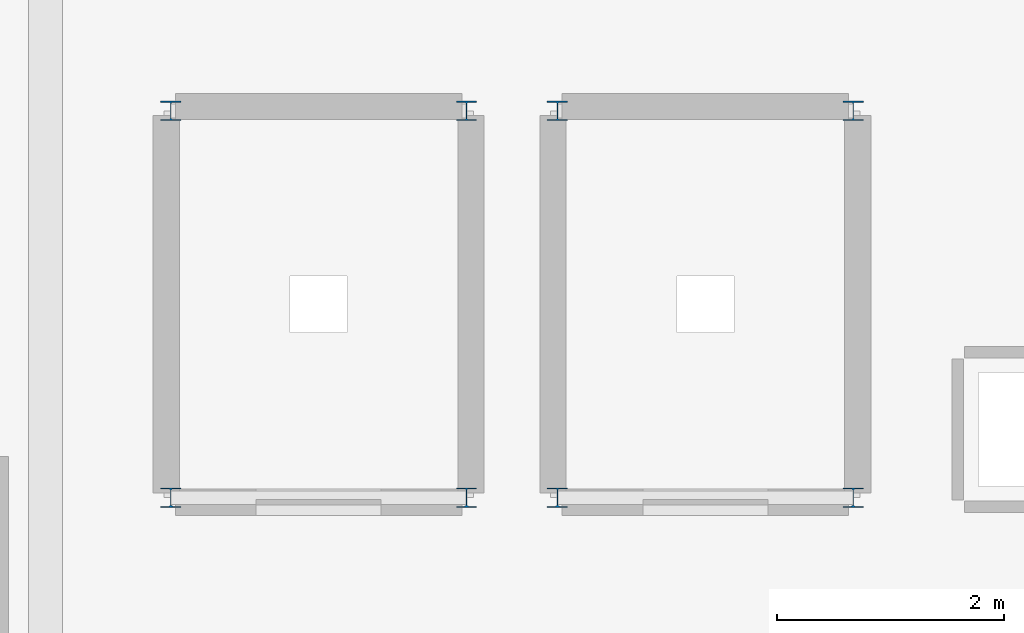
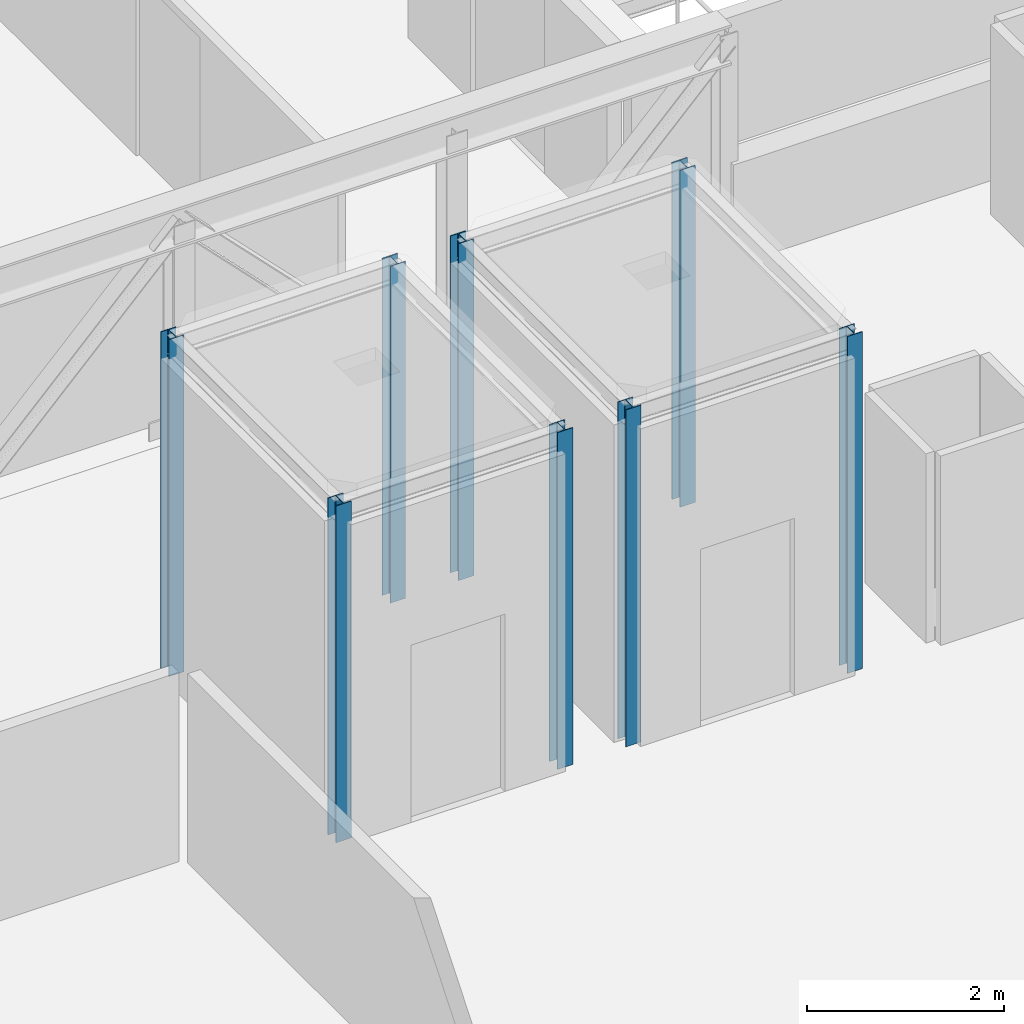
# One storey, part 2 of 34: 8 columns.
"""IFC4 building model written with IfcOpenShell, lengths in metres."""

from ifc_helpers import new_model, si_unit, direction, frame, origin, origin_2d, place, context, subcontext, project, spatial, i_section, extrude, material, material_profile, profile_set, type_object, element, save


model = new_model("IFC4")

# Units and contexts
model_context = context("Model", 3, precision=1e-05, world=origin(), true_north=direction((0.0, 1.0)))
body_context = subcontext(model_context, "Body", "Model", "MODEL_VIEW")
ifc_project = project(units=[si_unit("LENGTHUNIT", "METRE"), si_unit("AREAUNIT", "SQUARE_METRE"), si_unit("VOLUMEUNIT", "CUBIC_METRE"), si_unit("PLANEANGLEUNIT", "RADIAN"), si_unit("MASSUNIT", "GRAM", prefix="KILO")], contexts=[model_context])

# Site, building, storey
site_placement = place(None, origin())
site = spatial("IfcSite", under=ifc_project, at=site_placement, CompositionType="ELEMENT")
building_placement = place(site_placement, origin())
building = spatial("IfcBuilding", under=site, at=building_placement, Name="Alderhovde Museum", CompositionType="ELEMENT")
storey_placement = place(building_placement, frame((0.0, 0.0, 25.800048828125)))
storey = spatial("IfcBuildingStorey", under=building, at=storey_placement, Name="L05", CompositionType="ELEMENT", Elevation=25.800048828125)

# Columns
ifc_material = material(Name="Steel S355J2", Category="steel")
ifc_material_profile = material_profile(ifc_material, i_section(OverallWidth=0.179931640625, OverallDepth=0.1708984375, WebThickness=0.006103515625, FlangeThickness=0.009521484375, FilletRadius=0.014892578125, at=origin_2d()), Name="HEA 180")
ifc_profile_set = profile_set([ifc_material_profile], Name="Steel S355J2")
column_type = type_object("IfcColumnType", Name="COL-HEA180", PredefinedType="COLUMN", material=ifc_profile_set)
for number, where, z_axis, x_axis, name in (
    (1, (20.300048828125, 73.10009765625, 0.0), (0.0, 0.0, 1.0), (1.0, 0.0, 0.0), "L05 Lift PL-01 Shaft Column 1"),
    (2, (22.89990234375, 73.10009765625, 0.0), (0.0, 0.0, 1.0), (1.0, 0.0, 0.0), "L05 Lift PL-01 Shaft Column 2"),
    (3, (22.89990234375, 76.5, 0.0), (0.0, 0.0, 1.0), (1.0, 0.0, 0.0), "L05 Lift PL-01 Shaft Column 3"),
    (4, (20.300048828125, 76.5, 0.0), (0.0, 0.0, 1.0), (1.0, 0.0, 0.0), "L05 Lift PL-01 Shaft Column 4"),
    (5, (23.699951171875, 73.10009765625, 0.0), (0.0, 0.0, 1.0), (1.0, 0.0, 0.0), "L05 Lift PL-02 Shaft Column 1"),
    (6, (26.300048828125, 73.10009765625, 0.0), (0.0, 0.0, 1.0), (1.0, 0.0, 0.0), "L05 Lift PL-02 Shaft Column 2"),
    (7, (26.300048828125, 76.5, 0.0), (0.0, 0.0, 1.0), (1.0, 0.0, 0.0), "L05 Lift PL-02 Shaft Column 3"),
    (8, (23.699951171875, 76.5, 0.0), (0.0, 0.0, 1.0), (1.0, 0.0, 0.0), "L05 Lift PL-02 Shaft Column 4"),
):
    element("IfcColumn", number, at=place(storey_placement, frame(where, z_axis=z_axis, x_axis=x_axis)), inside=storey, type_object=column_type, Name=name, PredefinedType="COLUMN", context=body_context, shape_type="SweptSolid", body=[
        extrude(i_section(OverallWidth=0.179931640625, OverallDepth=0.1708984375, WebThickness=0.006103515625, FlangeThickness=0.009521484375, FilletRadius=0.014892578125, at=origin_2d()), origin(), (0.0, 0.0, 1.0), 4.179931640625),
    ])

save(model, "model.ifc")
